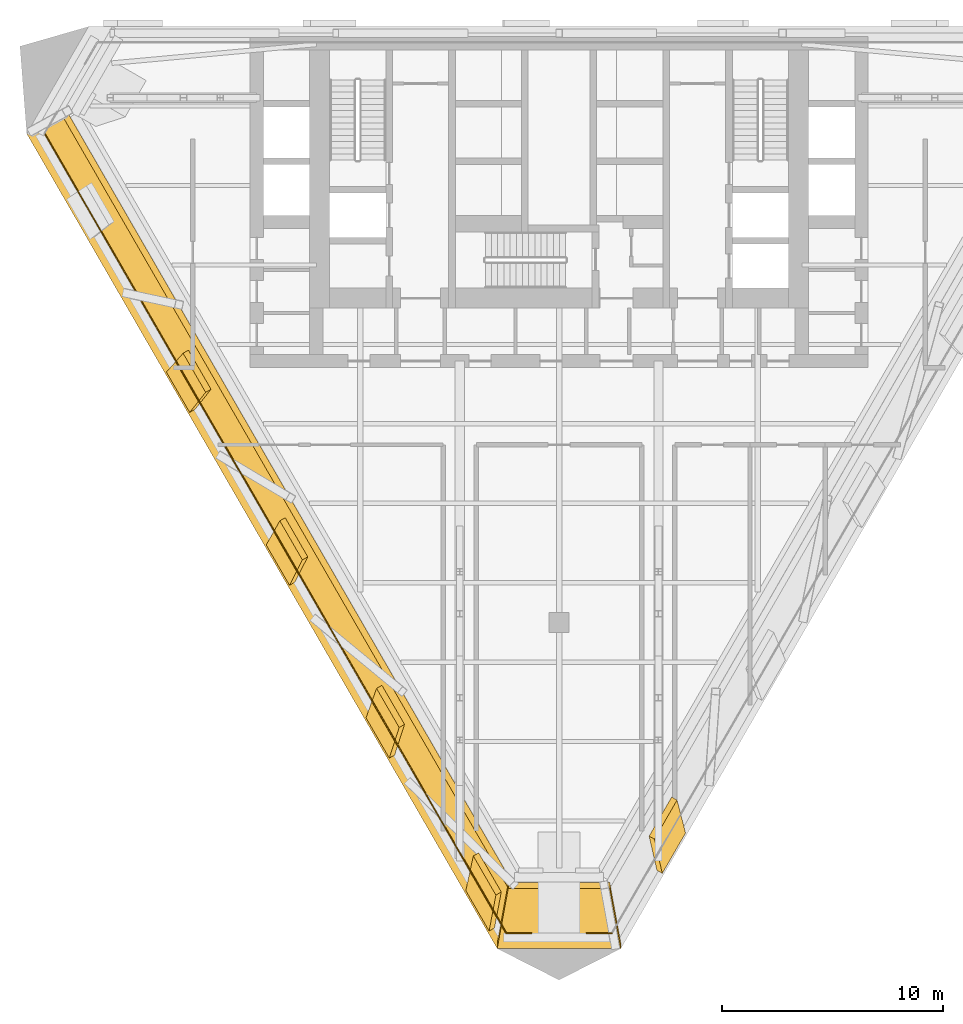
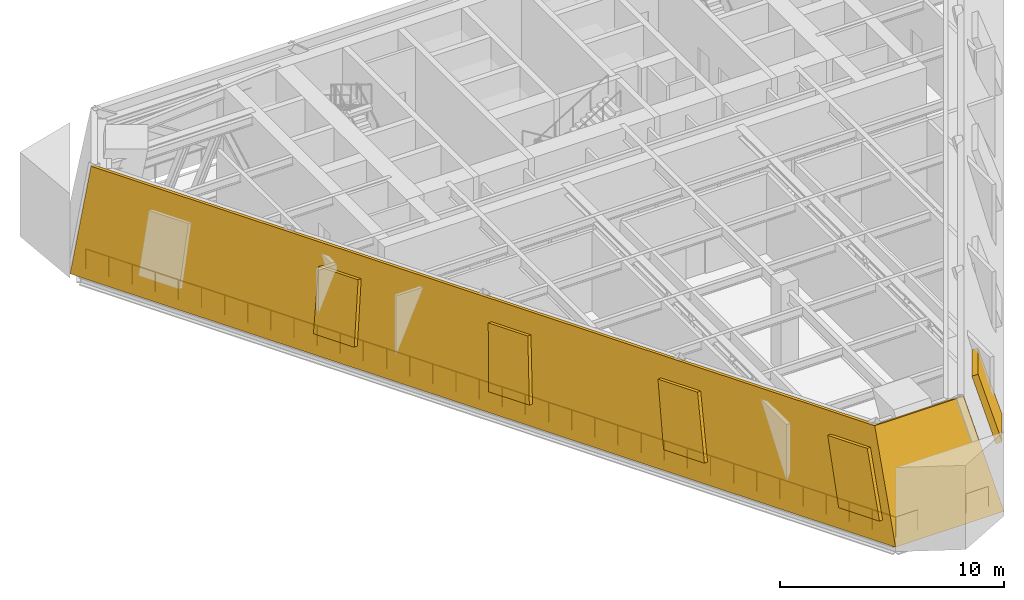
# One storey, part 7 of 12: 5 shading devices, 3 railings, 2 coverings.
"""IFC4 building model written with IfcOpenShell, lengths in metres."""

from ifc_helpers import new_model, si_unit, direction, frame, origin, origin_2d, place, context, subcontext, project, spatial, polyline, circle, outline, extrude, material, layer, layer_set, type_object, element, save


model = new_model("IFC4")

# Units and contexts
model_context = context("Model", 3, precision=1e-05, world=origin(), true_north=direction((0.0, 1.0)))
body_context = subcontext(model_context, "Body", "Model", "MODEL_VIEW")
ifc_project = project(units=[si_unit("LENGTHUNIT", "METRE"), si_unit("AREAUNIT", "SQUARE_METRE"), si_unit("VOLUMEUNIT", "CUBIC_METRE"), si_unit("PLANEANGLEUNIT", "RADIAN"), si_unit("MASSUNIT", "GRAM", prefix="KILO")], contexts=[model_context])

# Site, building, storey
site_placement = place(None, origin())
site = spatial("IfcSite", under=ifc_project, at=site_placement, CompositionType="ELEMENT")
building_placement = place(site_placement, origin())
building = spatial("IfcBuilding", under=site, at=building_placement, Name="Aloe Facet Convention Tower", CompositionType="ELEMENT")
storey_placement = place(building_placement, frame((0.0, 0.0, 123.800048828125)))
storey = spatial("IfcBuildingStorey", under=building, at=storey_placement, Name="L31", CompositionType="ELEMENT", Elevation=123.800048828125)

# Coverings
ifc_material_1 = material(Name="Granite cladding, bronze anchors", Category="masonry")
ifc_layer_1 = layer(ifc_material_1, 0.300048828125)
ifc_layer_set_1 = layer_set([ifc_layer_1], Name="EV-CLAD-STONE")
covering_type = type_object("IfcCoveringType", Name="EV-CLAD-STONE", PredefinedType="CLADDING", material=ifc_layer_set_1)
covering_1_placement = place(storey_placement, frame((55.87841796875, 130.150146484375, 0.0), z_axis=(-0.810878090744, -0.468159391455, 0.351145989787), x_axis=(0.499999151393, -0.866025893727, 5.74871e-07)))
element("IfcCovering", 1, at=covering_1_placement, inside=storey, type_object=covering_type, Name="CLADDING L31-W", PredefinedType="CLADDING", context=body_context, shape_type="SweptSolid", body=[
    extrude(outline(polyline([(0.0, 0.0), (42.643025562315856, 0.0), (40.52519977636566, 5.12647581132122), (0.039146959108613884, 5.126526849933249), (0.0, 0.0)])), origin(), (0.0, 0.0, -1.0), 0.300048828125),
])
covering_2_placement = place(storey_placement, frame((77.199951171875, 93.22021484375, 0.0), z_axis=(0.0, -0.868924968589, 0.49494383415), x_axis=(1.0, 0.0, 0.0)))
element("IfcCovering", 2, at=covering_2_placement, inside=storey, type_object=covering_type, Name="CLADDING L31-B", PredefinedType="CLADDING", context=body_context, shape_type="SweptSolid", body=[
    extrude(outline(polyline([(0.0, 0.0), (5.60009765625, 0.0), (5.10009765625, 5.524123487809705), (0.5, 5.524123487809705), (0.0, 0.0)])), origin(), (0.0, 0.0, -1.0), 0.300048828125),
])

# Railings
ifc_material_2 = material(Name="Steel S355", Category="steel")
railing_type = type_object("IfcRailingType", Name="EV-GUARD-PORTAL", PredefinedType="GUARDRAIL", material=ifc_material_2)
for number, where, name in (
    (3, (82.395751953125, 93.920166015625, 0.0), "GUARD L31-4"),
    (4, (78.75, 93.920166015625, 0.0), "GUARD L31-5"),
):
    element("IfcRailing", number, at=place(storey_placement, frame(where)), inside=storey, type_object=railing_type, Name=name, PredefinedType="GUARDRAIL", context=body_context, shape_type="SweptSolid", body=[
        extrude(circle(Radius=0.02392578125, at=origin_2d()), frame((0.0, 0.0, 1.076171875), z_axis=(-1.0, 0.0, 0.0), x_axis=(0.0, -1.0, 0.0)), (0.0, 0.0, 1.0), 1.145751953125),
        extrude(circle(Radius=0.02099609375, at=origin_2d()), origin(), (0.0, 0.0, 1.0), 1.052001953125),
        extrude(circle(Radius=0.02099609375, at=origin_2d()), frame((-1.145751953125, 0.0, 0.0)), (0.0, 0.0, 1.0), 1.052001953125),
    ])
railing_placement = place(storey_placement, frame((77.604248046875, 93.920166015625, 0.0)))
element("IfcRailing", 5, at=railing_placement, inside=storey, type_object=railing_type, Name="GUARD L31-6", PredefinedType="GUARDRAIL", context=body_context, shape_type="SweptSolid", body=[
    extrude(circle(Radius=0.02392578125, at=origin_2d()), frame((0.0, 0.0, 1.076171875), z_axis=(-0.500001640242, 0.866024456788, 0.0), x_axis=(-0.866024456788, -0.500001640242, 0.0)), (0.0, 0.0, 1.0), 41.834716796875),
    extrude(circle(Radius=0.02099609375, at=origin_2d()), origin(), (0.0, 0.0, 1.0), 1.052001953125),
    extrude(circle(Radius=0.02099609375, at=origin_2d()), frame((-0.59765625, 1.03515625, 0.0)), (0.0, 0.0, 1.0), 1.052001953125),
    extrude(circle(Radius=0.02099609375, at=origin_2d()), frame((-1.1953125, 2.0703125, 0.0)), (0.0, 0.0, 1.0), 1.052001953125),
    extrude(circle(Radius=0.02099609375, at=origin_2d()), frame((-1.79296875, 3.10546875, 0.0)), (0.0, 0.0, 1.0), 1.052001953125),
    extrude(circle(Radius=0.02099609375, at=origin_2d()), frame((-2.390625, 4.140625, 0.0)), (0.0, 0.0, 1.0), 1.052001953125),
    extrude(circle(Radius=0.02099609375, at=origin_2d()), frame((-2.98828125, 5.17578125, 0.0)), (0.0, 0.0, 1.0), 1.052001953125),
    extrude(circle(Radius=0.02099609375, at=origin_2d()), frame((-3.5859375, 6.2109375, 0.0)), (0.0, 0.0, 1.0), 1.052001953125),
    extrude(circle(Radius=0.02099609375, at=origin_2d()), frame((-4.18359375, 7.24609375, 0.0)), (0.0, 0.0, 1.0), 1.052001953125),
    extrude(circle(Radius=0.02099609375, at=origin_2d()), frame((-4.78125, 8.28125, 0.0)), (0.0, 0.0, 1.0), 1.052001953125),
    extrude(circle(Radius=0.02099609375, at=origin_2d()), frame((-5.378662109375, 9.316162109375, 0.0)), (0.0, 0.0, 1.0), 1.052001953125),
    extrude(circle(Radius=0.02099609375, at=origin_2d()), frame((-5.976318359375, 10.351318359375, 0.0)), (0.0, 0.0, 1.0), 1.052001953125),
    extrude(circle(Radius=0.02099609375, at=origin_2d()), frame((-6.573974609375, 11.386474609375, 0.0)), (0.0, 0.0, 1.0), 1.052001953125),
    extrude(circle(Radius=0.02099609375, at=origin_2d()), frame((-7.171630859375, 12.421630859375, 0.0)), (0.0, 0.0, 1.0), 1.052001953125),
    extrude(circle(Radius=0.02099609375, at=origin_2d()), frame((-7.769287109375, 13.456787109375, 0.0)), (0.0, 0.0, 1.0), 1.052001953125),
    extrude(circle(Radius=0.02099609375, at=origin_2d()), frame((-8.366943359375, 14.491943359375, 0.0)), (0.0, 0.0, 1.0), 1.052001953125),
    extrude(circle(Radius=0.02099609375, at=origin_2d()), frame((-8.964599609375, 15.527099609375, 0.0)), (0.0, 0.0, 1.0), 1.052001953125),
    extrude(circle(Radius=0.02099609375, at=origin_2d()), frame((-9.562255859375, 16.562255859375, 0.0)), (0.0, 0.0, 1.0), 1.052001953125),
    extrude(circle(Radius=0.02099609375, at=origin_2d()), frame((-10.159912109375, 17.597412109375, 0.0)), (0.0, 0.0, 1.0), 1.052001953125),
    extrude(circle(Radius=0.02099609375, at=origin_2d()), frame((-10.757568359375, 18.632568359375, 0.0)), (0.0, 0.0, 1.0), 1.052001953125),
    extrude(circle(Radius=0.02099609375, at=origin_2d()), frame((-11.355224609375, 19.667724609375, 0.0)), (0.0, 0.0, 1.0), 1.052001953125),
    extrude(circle(Radius=0.02099609375, at=origin_2d()), frame((-11.952880859375, 20.702880859375, 0.0)), (0.0, 0.0, 1.0), 1.052001953125),
    extrude(circle(Radius=0.02099609375, at=origin_2d()), frame((-12.550537109375, 21.738037109375, 0.0)), (0.0, 0.0, 1.0), 1.052001953125),
    extrude(circle(Radius=0.02099609375, at=origin_2d()), frame((-13.148193359375, 22.773193359375, 0.0)), (0.0, 0.0, 1.0), 1.052001953125),
    extrude(circle(Radius=0.02099609375, at=origin_2d()), frame((-13.745849609375, 23.808349609375, 0.0)), (0.0, 0.0, 1.0), 1.052001953125),
    extrude(circle(Radius=0.02099609375, at=origin_2d()), frame((-14.343505859375, 24.843505859375, 0.0)), (0.0, 0.0, 1.0), 1.052001953125),
    extrude(circle(Radius=0.02099609375, at=origin_2d()), frame((-14.941162109375, 25.878662109375, 0.0)), (0.0, 0.0, 1.0), 1.052001953125),
    extrude(circle(Radius=0.02099609375, at=origin_2d()), frame((-15.538818359375, 26.913818359375, 0.0)), (0.0, 0.0, 1.0), 1.052001953125),
    extrude(circle(Radius=0.02099609375, at=origin_2d()), frame((-16.13623046875, 27.94873046875, 0.0)), (0.0, 0.0, 1.0), 1.052001953125),
    extrude(circle(Radius=0.02099609375, at=origin_2d()), frame((-16.73388671875, 28.98388671875, 0.0)), (0.0, 0.0, 1.0), 1.052001953125),
    extrude(circle(Radius=0.02099609375, at=origin_2d()), frame((-17.33154296875, 30.01904296875, 0.0)), (0.0, 0.0, 1.0), 1.052001953125),
    extrude(circle(Radius=0.02099609375, at=origin_2d()), frame((-17.92919921875, 31.05419921875, 0.0)), (0.0, 0.0, 1.0), 1.052001953125),
    extrude(circle(Radius=0.02099609375, at=origin_2d()), frame((-18.52685546875, 32.08935546875, 0.0)), (0.0, 0.0, 1.0), 1.052001953125),
    extrude(circle(Radius=0.02099609375, at=origin_2d()), frame((-19.12451171875, 33.12451171875, 0.0)), (0.0, 0.0, 1.0), 1.052001953125),
    extrude(circle(Radius=0.02099609375, at=origin_2d()), frame((-19.72216796875, 34.15966796875, 0.0)), (0.0, 0.0, 1.0), 1.052001953125),
    extrude(circle(Radius=0.02099609375, at=origin_2d()), frame((-20.31982421875, 35.19482421875, 0.0)), (0.0, 0.0, 1.0), 1.052001953125),
    extrude(circle(Radius=0.02099609375, at=origin_2d()), frame((-20.91748046875, 36.22998046875, 0.0)), (0.0, 0.0, 1.0), 1.052001953125),
])

# Shading devices
ifc_material_3 = material(Name="Aluminium, anodised", Category="aluminium")
ifc_layer_2 = layer(ifc_material_3, 0.300048828125)
ifc_layer_set_2 = layer_set([ifc_layer_2], Name="EV-LOUVRE-BELT")
shading_device_type = type_object("IfcShadingDeviceType", Name="EV-LOUVRE-BELT", PredefinedType="JALOUSIE", material=ifc_layer_set_2)
shading_device_1_placement = place(storey_placement, frame((62.207275390625, 119.3466796875, 1.065185546875), z_axis=(-0.810921742996, -0.468106006148, 0.351116353571), x_axis=(0.499937255825, -0.866061626112, 3.822109e-06)))
element("IfcShadingDevice", 6, at=shading_device_1_placement, inside=storey, type_object=shading_device_type, Name="LOUVRE L31-W05", PredefinedType="JALOUSIE", context=body_context, shape_type="SweptSolid", body=[
    extrude(outline(polyline([(0.0, 0.0), (2.110579153900225, -5.551115123125783e-17), (1.685646565132927, 3.0759613217116093), (-0.36006788441415893, 3.0759782877141184), (0.0, 0.0)])), origin(), (0.0, 0.0, -1.0), 0.300048828125),
])
shading_device_2_placement = place(storey_placement, frame((66.72998046875, 111.51318359375, 1.065185546875), z_axis=(-0.810925469361, -0.468131406931, 0.351073879669), x_axis=(0.499953584192, -0.866052200299, -3.247413e-06)))
element("IfcShadingDevice", 7, at=shading_device_2_placement, inside=storey, type_object=shading_device_type, Name="LOUVRE L31-W08", PredefinedType="JALOUSIE", context=body_context, shape_type="SweptSolid", body=[
    extrude(outline(polyline([(0.0, 0.0), (2.1105791539349807, 0.0), (1.4084729946182066, 3.075920768499009), (-0.6375749515575325, 3.075906352611495), (0.0, 0.0)])), origin(), (0.0, 0.0, -1.0), 0.300048828125),
])
shading_device_3_placement = place(storey_placement, frame((71.252685546875, 103.6796875, 1.065185546875), z_axis=(-0.810913935973, -0.468156499119, 0.351067060228), x_axis=(0.499975882366, -0.866039327563, -1.2900755e-05)))
element("IfcShadingDevice", 8, at=shading_device_3_placement, inside=storey, type_object=shading_device_type, Name="LOUVRE L31-W11", PredefinedType="JALOUSIE", context=body_context, shape_type="SweptSolid", body=[
    extrude(outline(polyline([(0.0, 0.0), (2.1105791526002506, 0.0), (1.1310879852639069, 3.075923068474509), (-0.9147485252924427, 3.0758658026224266), (0.0, 0.0)])), origin(), (0.0, 0.0, -1.0), 0.300048828125),
])
shading_device_4_placement = place(storey_placement, frame((75.775390625, 95.84619140625, 1.065185546875), z_axis=(-0.810912322029, -0.468155567357, 0.351072030692), x_axis=(0.499975882247, -0.866039327632, -1.2900912e-05)))
element("IfcShadingDevice", 9, at=shading_device_4_placement, inside=storey, type_object=shading_device_type, Name="LOUVRE L31-W14", PredefinedType="JALOUSIE", context=body_context, shape_type="SweptSolid", body=[
    extrude(outline(polyline([(0.0, 0.0), (2.1105791526002564, -5.551115123125783e-17), (0.8537029750188857, 3.075925368836329), (-1.1921335355374467, 3.075868102173467), (0.0, 0.0)])), origin(), (0.0, 0.0, -1.0), 0.300048828125),
])
shading_device_5_placement = place(storey_placement, frame((84.677001953125, 96.62939453125, 1.065185546875), z_axis=(0.810899813405, -0.468148345883, 0.351110550775), x_axis=(0.499975881328, 0.866039328162, 1.2902128e-05)))
element("IfcShadingDevice", 10, at=shading_device_5_placement, inside=storey, type_object=shading_device_type, Name="LOUVRE L31-E02", PredefinedType="JALOUSIE", context=body_context, shape_type="SweptSolid", body=[
    extrude(outline(polyline([(0.0, 0.0), (2.1105791526003, 0.0), (3.2101696466231022, 3.0759168202110794), (1.164333136066901, 3.0759740931573147), (0.0, 0.0)])), origin(), (0.0, 0.0, -1.0), 0.300048828125),
])

save(model, "model.ifc")
